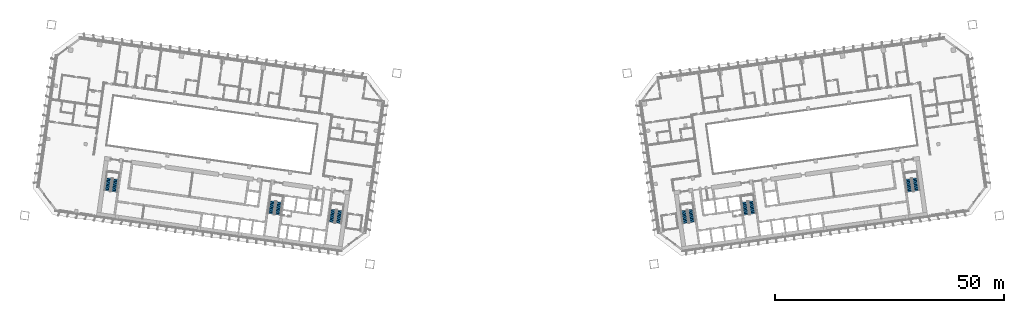
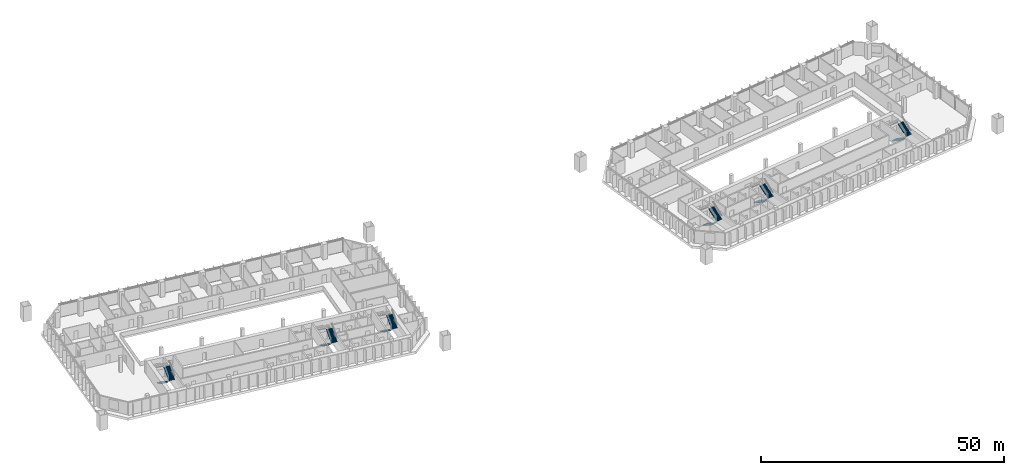
# One storey, part 22 of 24: 12 stair flights, 6 elements without a shape of their own.
"""IFC4 building model written with IfcOpenShell, lengths in metres."""

from ifc_helpers import new_model, si_unit, direction, frame, origin, place, context, subcontext, project, spatial, polyline, outline, extrude, material, type_object, element, aggregate, save


model = new_model("IFC4")

# Units and contexts
model_context = context("Model", 3, precision=1e-05, world=origin(), true_north=direction((0.0, 1.0)))
body_context = subcontext(model_context, "Body", "Model", "MODEL_VIEW")
ifc_project = project(units=[si_unit("LENGTHUNIT", "METRE"), si_unit("AREAUNIT", "SQUARE_METRE"), si_unit("VOLUMEUNIT", "CUBIC_METRE"), si_unit("PLANEANGLEUNIT", "RADIAN"), si_unit("MASSUNIT", "GRAM", prefix="KILO")], contexts=[model_context])

# Site, building, storey
site_placement = place(None, origin())
site = spatial("IfcSite", under=ifc_project, at=site_placement, CompositionType="ELEMENT")
building_placement = place(site_placement, origin())
building = spatial("IfcBuilding", under=site, at=building_placement, Name="Mirante Cascada Hotel Towers", CompositionType="ELEMENT")
storey_placement = place(building_placement, frame((0.0, 0.0, 88.9)))
storey = spatial("IfcBuildingStorey", under=building, at=storey_placement, Name="L19", CompositionType="ELEMENT", Elevation=88.9)

# Stair, stair flights
ifc_material_1 = material(Name="Concrete C35/45", Category="concrete")
stair_type = type_object("IfcStairType", Name="Exit stair half-turn 1350 concrete C35/45", PredefinedType="HALF_TURN_STAIR", material=ifc_material_1)
stair_1_placement = place(storey_placement, origin())
stair_1 = element("IfcStair", 1, at=stair_1_placement, inside=storey, type_object=stair_type, Name="L19 Exit stair A", PredefinedType="HALF_TURN_STAIR")
ifc_material_2 = material(Name="Concrete C35/45", Category="concrete")
stair_flight_type = type_object("IfcStairFlightType", Name="Exit stair flight 1350 concrete C35/45", PredefinedType="STRAIGHT", material=ifc_material_2)
stair_flight_1_placement = place(storey_placement, frame((-38.9417, -11.195, 0.0), z_axis=(0.0, 0.0, 1.0), x_axis=(-0.1391731, -0.9902681, 0.0)))
stair_flight_1 = element("IfcStairFlight", 2, at=stair_flight_1_placement, type_object=stair_flight_type, Name="ST1-A flight 1", NumberOfRisers=11, NumberOfTreads=10, PredefinedType="STRAIGHT", RiserHeight=0.172727273, TreadLength=0.28, context=body_context, shape_type="SweptSolid", body=[
    extrude(outline(polyline([(0.0, 0.0), (0.0, 0.1727), (0.28, 0.1727), (0.28, 0.3455), (0.56, 0.3455), (0.56, 0.5182), (0.84, 0.5182), (0.84, 0.6909), (1.12, 0.6909), (1.12, 0.8636), (1.4, 0.8636), (1.4, 1.0364), (1.68, 1.0364), (1.68, 1.2091), (1.96, 1.2091), (1.96, 1.3818), (2.24, 1.3818), (2.24, 1.5545), (2.52, 1.5545), (2.52, 1.7273), (2.8, 1.7273), (2.8, 1.9), (2.8, 1.551), (0.2857, 0.0), (0.0, 0.0)])), frame((0.0, 0.675, 0.0), z_axis=(0.0, -1.0, 0.0), x_axis=(1.0, 0.0, 0.0)), (0.0, 0.0, 1.0), 1.35),
])
stair_flight_2_placement = place(storey_placement, frame((-37.846, -14.1765, 1.9), z_axis=(0.0, 0.0, 1.0), x_axis=(0.1391731, 0.9902681, 0.0)))
stair_flight_2 = element("IfcStairFlight", 3, at=stair_flight_2_placement, type_object=stair_flight_type, Name="ST1-A flight 2", NumberOfRisers=11, NumberOfTreads=10, PredefinedType="STRAIGHT", RiserHeight=0.172727273, TreadLength=0.28, context=body_context, shape_type="SweptSolid", body=[
    extrude(outline(polyline([(0.0, 0.0), (0.0, 0.1727), (0.28, 0.1727), (0.28, 0.3455), (0.56, 0.3455), (0.56, 0.5182), (0.84, 0.5182), (0.84, 0.6909), (1.12, 0.6909), (1.12, 0.8636), (1.4, 0.8636), (1.4, 1.0364), (1.68, 1.0364), (1.68, 1.2091), (1.96, 1.2091), (1.96, 1.3818), (2.24, 1.3818), (2.24, 1.5545), (2.52, 1.5545), (2.52, 1.7273), (2.8, 1.7273), (2.8, 1.9), (2.8, 1.551), (0.2857, 0.0), (0.0, 0.0)])), frame((0.0, 0.675, 0.0), z_axis=(0.0, -1.0, 0.0), x_axis=(1.0, 0.0, 0.0)), (0.0, 0.0, 1.0), 1.35),
])
aggregate(stair_1, [stair_flight_1, stair_flight_2])

stair_2_placement = place(storey_placement, origin())
stair_2 = element("IfcStair", 4, at=stair_2_placement, inside=storey, type_object=stair_type, Name="L19 Exit stair B", PredefinedType="HALF_TURN_STAIR")
stair_flight_3_placement = place(storey_placement, frame((-52.1618, -9.3371, 0.0), z_axis=(0.0, 0.0, 1.0), x_axis=(-0.1391731, -0.9902681, 0.0)))
stair_flight_3 = element("IfcStairFlight", 5, at=stair_flight_3_placement, type_object=stair_flight_type, Name="ST1-B flight 1", NumberOfRisers=11, NumberOfTreads=10, PredefinedType="STRAIGHT", RiserHeight=0.172727273, TreadLength=0.28, context=body_context, shape_type="SweptSolid", body=[
    extrude(outline(polyline([(0.0, 0.0), (0.0, 0.1727), (0.28, 0.1727), (0.28, 0.3455), (0.56, 0.3455), (0.56, 0.5182), (0.84, 0.5182), (0.84, 0.6909), (1.12, 0.6909), (1.12, 0.8636), (1.4, 0.8636), (1.4, 1.0364), (1.68, 1.0364), (1.68, 1.2091), (1.96, 1.2091), (1.96, 1.3818), (2.24, 1.3818), (2.24, 1.5545), (2.52, 1.5545), (2.52, 1.7273), (2.8, 1.7273), (2.8, 1.9), (2.8, 1.551), (0.2857, 0.0), (0.0, 0.0)])), frame((0.0, 0.675, 0.0), z_axis=(0.0, -1.0, 0.0), x_axis=(1.0, 0.0, 0.0)), (0.0, 0.0, 1.0), 1.35),
])
stair_flight_4_placement = place(storey_placement, frame((-51.0661, -12.3186, 1.9), z_axis=(0.0, 0.0, 1.0), x_axis=(0.1391731, 0.9902681, 0.0)))
stair_flight_4 = element("IfcStairFlight", 6, at=stair_flight_4_placement, type_object=stair_flight_type, Name="ST1-B flight 2", NumberOfRisers=11, NumberOfTreads=10, PredefinedType="STRAIGHT", RiserHeight=0.172727273, TreadLength=0.28, context=body_context, shape_type="SweptSolid", body=[
    extrude(outline(polyline([(0.0, 0.0), (0.0, 0.1727), (0.28, 0.1727), (0.28, 0.3455), (0.56, 0.3455), (0.56, 0.5182), (0.84, 0.5182), (0.84, 0.6909), (1.12, 0.6909), (1.12, 0.8636), (1.4, 0.8636), (1.4, 1.0364), (1.68, 1.0364), (1.68, 1.2091), (1.96, 1.2091), (1.96, 1.3818), (2.24, 1.3818), (2.24, 1.5545), (2.52, 1.5545), (2.52, 1.7273), (2.8, 1.7273), (2.8, 1.9), (2.8, 1.551), (0.2857, 0.0), (0.0, 0.0)])), frame((0.0, 0.675, 0.0), z_axis=(0.0, -1.0, 0.0), x_axis=(1.0, 0.0, 0.0)), (0.0, 0.0, 1.0), 1.35),
])
aggregate(stair_2, [stair_flight_3, stair_flight_4])

stair_3_placement = place(storey_placement, origin())
stair_3 = element("IfcStair", 7, at=stair_3_placement, inside=storey, type_object=stair_type, Name="L19 Exit stair C", PredefinedType="HALF_TURN_STAIR")
stair_flight_5_placement = place(storey_placement, frame((-87.8115, -4.3268, 0.0), z_axis=(0.0, 0.0, 1.0), x_axis=(-0.1391731, -0.9902681, 0.0)))
stair_flight_5 = element("IfcStairFlight", 8, at=stair_flight_5_placement, type_object=stair_flight_type, Name="ST1-C flight 1", NumberOfRisers=11, NumberOfTreads=10, PredefinedType="STRAIGHT", RiserHeight=0.172727273, TreadLength=0.28, context=body_context, shape_type="SweptSolid", body=[
    extrude(outline(polyline([(0.0, 0.0), (0.0, 0.1727), (0.28, 0.1727), (0.28, 0.3455), (0.56, 0.3455), (0.56, 0.5182), (0.84, 0.5182), (0.84, 0.6909), (1.12, 0.6909), (1.12, 0.8636), (1.4, 0.8636), (1.4, 1.0364), (1.68, 1.0364), (1.68, 1.2091), (1.96, 1.2091), (1.96, 1.3818), (2.24, 1.3818), (2.24, 1.5545), (2.52, 1.5545), (2.52, 1.7273), (2.8, 1.7273), (2.8, 1.9), (2.8, 1.551), (0.2857, 0.0), (0.0, 0.0)])), frame((0.0, 0.675, 0.0), z_axis=(0.0, -1.0, 0.0), x_axis=(1.0, 0.0, 0.0)), (0.0, 0.0, 1.0), 1.35),
])
stair_flight_6_placement = place(storey_placement, frame((-86.7157, -7.3084, 1.9), z_axis=(0.0, 0.0, 1.0), x_axis=(0.1391731, 0.9902681, 0.0)))
stair_flight_6 = element("IfcStairFlight", 9, at=stair_flight_6_placement, type_object=stair_flight_type, Name="ST1-C flight 2", NumberOfRisers=11, NumberOfTreads=10, PredefinedType="STRAIGHT", RiserHeight=0.172727273, TreadLength=0.28, context=body_context, shape_type="SweptSolid", body=[
    extrude(outline(polyline([(0.0, 0.0), (0.0, 0.1727), (0.28, 0.1727), (0.28, 0.3455), (0.56, 0.3455), (0.56, 0.5182), (0.84, 0.5182), (0.84, 0.6909), (1.12, 0.6909), (1.12, 0.8636), (1.4, 0.8636), (1.4, 1.0364), (1.68, 1.0364), (1.68, 1.2091), (1.96, 1.2091), (1.96, 1.3818), (2.24, 1.3818), (2.24, 1.5545), (2.52, 1.5545), (2.52, 1.7273), (2.8, 1.7273), (2.8, 1.9), (2.8, 1.551), (0.2857, 0.0), (0.0, 0.0)])), frame((0.0, 0.675, 0.0), z_axis=(0.0, -1.0, 0.0), x_axis=(1.0, 0.0, 0.0)), (0.0, 0.0, 1.0), 1.35),
])
aggregate(stair_3, [stair_flight_5, stair_flight_6])

stair_4_placement = place(storey_placement, origin())
stair_4 = element("IfcStair", 10, at=stair_4_placement, inside=storey, type_object=stair_type, Name="L19 Exit stair A", PredefinedType="HALF_TURN_STAIR")
stair_flight_7_placement = place(storey_placement, frame((37.4563, -11.4038, 0.0), z_axis=(0.0, 0.0, 1.0), x_axis=(0.1391731, -0.9902681, 0.0)))
stair_flight_7 = element("IfcStairFlight", 11, at=stair_flight_7_placement, type_object=stair_flight_type, Name="ST2-A flight 1", NumberOfRisers=11, NumberOfTreads=10, PredefinedType="STRAIGHT", RiserHeight=0.172727273, TreadLength=0.28, context=body_context, shape_type="SweptSolid", body=[
    extrude(outline(polyline([(0.0, 0.0), (0.0, 0.1727), (0.28, 0.1727), (0.28, 0.3455), (0.56, 0.3455), (0.56, 0.5182), (0.84, 0.5182), (0.84, 0.6909), (1.12, 0.6909), (1.12, 0.8636), (1.4, 0.8636), (1.4, 1.0364), (1.68, 1.0364), (1.68, 1.2091), (1.96, 1.2091), (1.96, 1.3818), (2.24, 1.3818), (2.24, 1.5545), (2.52, 1.5545), (2.52, 1.7273), (2.8, 1.7273), (2.8, 1.9), (2.8, 1.551), (0.2857, 0.0), (0.0, 0.0)])), frame((0.0, 0.675, 0.0), z_axis=(0.0, -1.0, 0.0), x_axis=(1.0, 0.0, 0.0)), (0.0, 0.0, 1.0), 1.35),
])
stair_flight_8_placement = place(storey_placement, frame((39.3314, -13.9678, 1.9), z_axis=(0.0, 0.0, 1.0), x_axis=(-0.1391731, 0.9902681, 0.0)))
stair_flight_8 = element("IfcStairFlight", 12, at=stair_flight_8_placement, type_object=stair_flight_type, Name="ST2-A flight 2", NumberOfRisers=11, NumberOfTreads=10, PredefinedType="STRAIGHT", RiserHeight=0.172727273, TreadLength=0.28, context=body_context, shape_type="SweptSolid", body=[
    extrude(outline(polyline([(0.0, 0.0), (0.0, 0.1727), (0.28, 0.1727), (0.28, 0.3455), (0.56, 0.3455), (0.56, 0.5182), (0.84, 0.5182), (0.84, 0.6909), (1.12, 0.6909), (1.12, 0.8636), (1.4, 0.8636), (1.4, 1.0364), (1.68, 1.0364), (1.68, 1.2091), (1.96, 1.2091), (1.96, 1.3818), (2.24, 1.3818), (2.24, 1.5545), (2.52, 1.5545), (2.52, 1.7273), (2.8, 1.7273), (2.8, 1.9), (2.8, 1.551), (0.2857, 0.0), (0.0, 0.0)])), frame((0.0, 0.675, 0.0), z_axis=(0.0, -1.0, 0.0), x_axis=(1.0, 0.0, 0.0)), (0.0, 0.0, 1.0), 1.35),
])
aggregate(stair_4, [stair_flight_7, stair_flight_8])

stair_5_placement = place(storey_placement, origin())
stair_5 = element("IfcStair", 13, at=stair_5_placement, inside=storey, type_object=stair_type, Name="L19 Exit stair B", PredefinedType="HALF_TURN_STAIR")
stair_flight_9_placement = place(storey_placement, frame((50.6764, -9.5458, 0.0), z_axis=(0.0, 0.0, 1.0), x_axis=(0.1391731, -0.9902681, 0.0)))
stair_flight_9 = element("IfcStairFlight", 14, at=stair_flight_9_placement, type_object=stair_flight_type, Name="ST2-B flight 1", NumberOfRisers=11, NumberOfTreads=10, PredefinedType="STRAIGHT", RiserHeight=0.172727273, TreadLength=0.28, context=body_context, shape_type="SweptSolid", body=[
    extrude(outline(polyline([(0.0, 0.0), (0.0, 0.1727), (0.28, 0.1727), (0.28, 0.3455), (0.56, 0.3455), (0.56, 0.5182), (0.84, 0.5182), (0.84, 0.6909), (1.12, 0.6909), (1.12, 0.8636), (1.4, 0.8636), (1.4, 1.0364), (1.68, 1.0364), (1.68, 1.2091), (1.96, 1.2091), (1.96, 1.3818), (2.24, 1.3818), (2.24, 1.5545), (2.52, 1.5545), (2.52, 1.7273), (2.8, 1.7273), (2.8, 1.9), (2.8, 1.551), (0.2857, 0.0), (0.0, 0.0)])), frame((0.0, 0.675, 0.0), z_axis=(0.0, -1.0, 0.0), x_axis=(1.0, 0.0, 0.0)), (0.0, 0.0, 1.0), 1.35),
])
stair_flight_10_placement = place(storey_placement, frame((52.5515, -12.1098, 1.9), z_axis=(0.0, 0.0, 1.0), x_axis=(-0.1391731, 0.9902681, 0.0)))
stair_flight_10 = element("IfcStairFlight", 15, at=stair_flight_10_placement, type_object=stair_flight_type, Name="ST2-B flight 2", NumberOfRisers=11, NumberOfTreads=10, PredefinedType="STRAIGHT", RiserHeight=0.172727273, TreadLength=0.28, context=body_context, shape_type="SweptSolid", body=[
    extrude(outline(polyline([(0.0, 0.0), (0.0, 0.1727), (0.28, 0.1727), (0.28, 0.3455), (0.56, 0.3455), (0.56, 0.5182), (0.84, 0.5182), (0.84, 0.6909), (1.12, 0.6909), (1.12, 0.8636), (1.4, 0.8636), (1.4, 1.0364), (1.68, 1.0364), (1.68, 1.2091), (1.96, 1.2091), (1.96, 1.3818), (2.24, 1.3818), (2.24, 1.5545), (2.52, 1.5545), (2.52, 1.7273), (2.8, 1.7273), (2.8, 1.9), (2.8, 1.551), (0.2857, 0.0), (0.0, 0.0)])), frame((0.0, 0.675, 0.0), z_axis=(0.0, -1.0, 0.0), x_axis=(1.0, 0.0, 0.0)), (0.0, 0.0, 1.0), 1.35),
])
aggregate(stair_5, [stair_flight_9, stair_flight_10])

stair_6_placement = place(storey_placement, origin())
stair_6 = element("IfcStair", 16, at=stair_6_placement, inside=storey, type_object=stair_type, Name="L19 Exit stair C", PredefinedType="HALF_TURN_STAIR")
stair_flight_11_placement = place(storey_placement, frame((86.326, -4.5356, 0.0), z_axis=(0.0, 0.0, 1.0), x_axis=(0.1391731, -0.9902681, 0.0)))
stair_flight_11 = element("IfcStairFlight", 17, at=stair_flight_11_placement, type_object=stair_flight_type, Name="ST2-C flight 1", NumberOfRisers=11, NumberOfTreads=10, PredefinedType="STRAIGHT", RiserHeight=0.172727273, TreadLength=0.28, context=body_context, shape_type="SweptSolid", body=[
    extrude(outline(polyline([(0.0, 0.0), (0.0, 0.1727), (0.28, 0.1727), (0.28, 0.3455), (0.56, 0.3455), (0.56, 0.5182), (0.84, 0.5182), (0.84, 0.6909), (1.12, 0.6909), (1.12, 0.8636), (1.4, 0.8636), (1.4, 1.0364), (1.68, 1.0364), (1.68, 1.2091), (1.96, 1.2091), (1.96, 1.3818), (2.24, 1.3818), (2.24, 1.5545), (2.52, 1.5545), (2.52, 1.7273), (2.8, 1.7273), (2.8, 1.9), (2.8, 1.551), (0.2857, 0.0), (0.0, 0.0)])), frame((0.0, 0.675, 0.0), z_axis=(0.0, -1.0, 0.0), x_axis=(1.0, 0.0, 0.0)), (0.0, 0.0, 1.0), 1.35),
])
stair_flight_12_placement = place(storey_placement, frame((88.2011, -7.0996, 1.9), z_axis=(0.0, 0.0, 1.0), x_axis=(-0.1391731, 0.9902681, 0.0)))
stair_flight_12 = element("IfcStairFlight", 18, at=stair_flight_12_placement, type_object=stair_flight_type, Name="ST2-C flight 2", NumberOfRisers=11, NumberOfTreads=10, PredefinedType="STRAIGHT", RiserHeight=0.172727273, TreadLength=0.28, context=body_context, shape_type="SweptSolid", body=[
    extrude(outline(polyline([(0.0, 0.0), (0.0, 0.1727), (0.28, 0.1727), (0.28, 0.3455), (0.56, 0.3455), (0.56, 0.5182), (0.84, 0.5182), (0.84, 0.6909), (1.12, 0.6909), (1.12, 0.8636), (1.4, 0.8636), (1.4, 1.0364), (1.68, 1.0364), (1.68, 1.2091), (1.96, 1.2091), (1.96, 1.3818), (2.24, 1.3818), (2.24, 1.5545), (2.52, 1.5545), (2.52, 1.7273), (2.8, 1.7273), (2.8, 1.9), (2.8, 1.551), (0.2857, 0.0), (0.0, 0.0)])), frame((0.0, 0.675, 0.0), z_axis=(0.0, -1.0, 0.0), x_axis=(1.0, 0.0, 0.0)), (0.0, 0.0, 1.0), 1.35),
])
aggregate(stair_6, [stair_flight_11, stair_flight_12])

save(model, "model.ifc")
